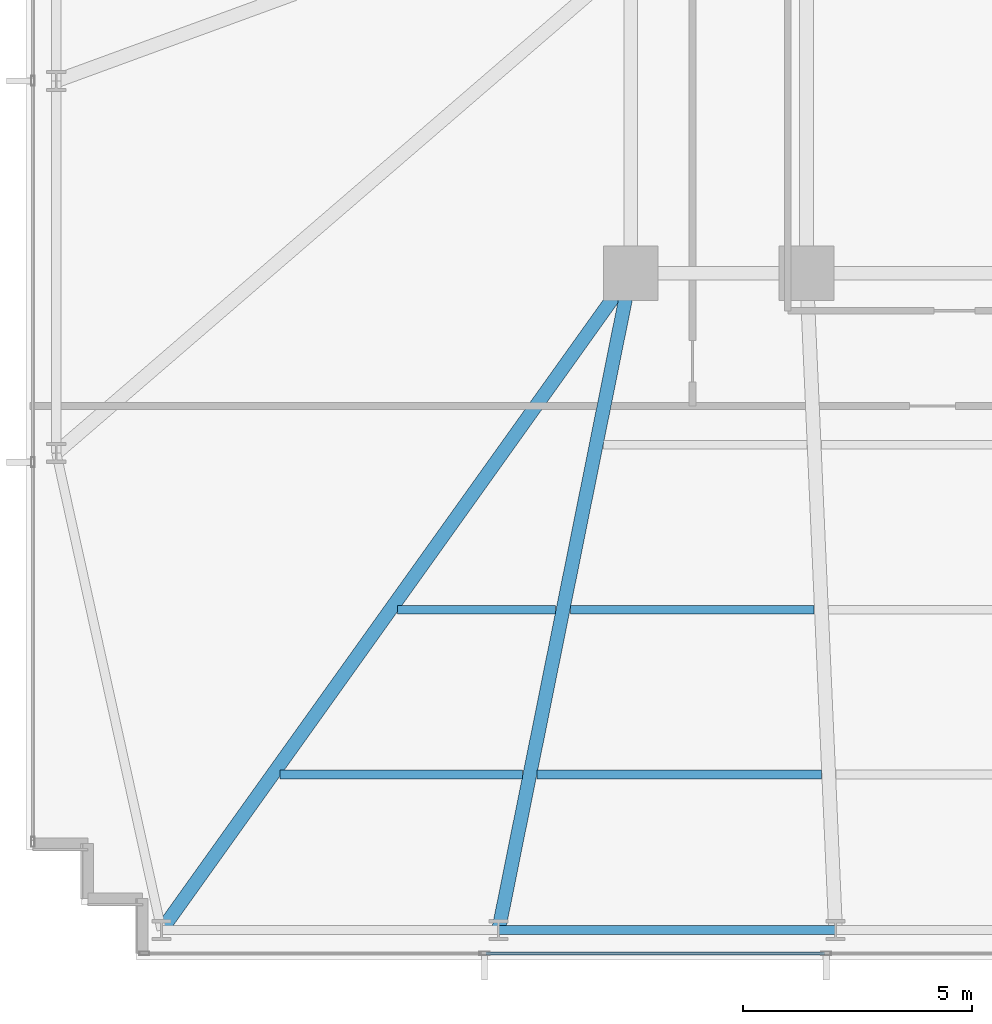
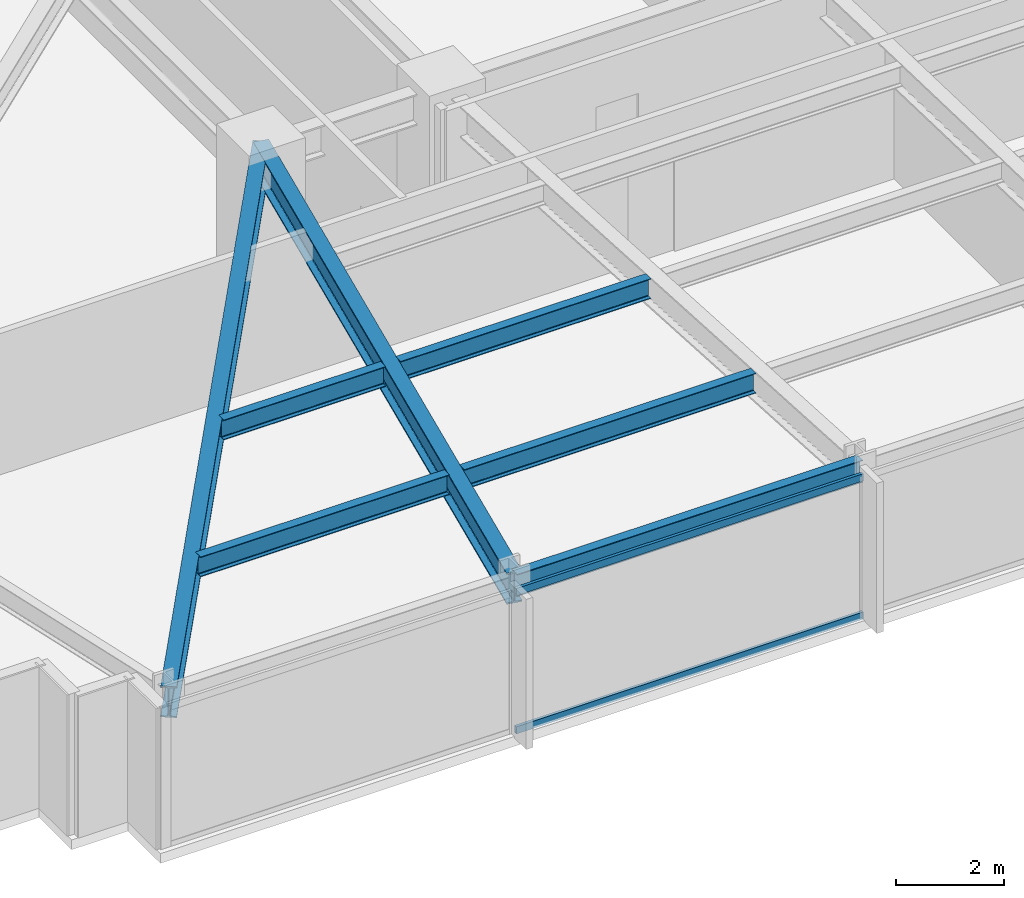
# One storey, part 3 of 33: 7 beams, 2 members, 1 element without a shape of its own.
"""IFC4 building model written with IfcOpenShell, lengths in metres."""

from ifc_helpers import new_model, si_unit, direction, frame, origin, origin_2d, place, context, subcontext, project, spatial, hollow_rectangle, i_section, extrude, material, material_profile, profile_set, type_object, element, aggregate, save


model = new_model("IFC4")

# Units and contexts
model_context = context("Model", 3, precision=1e-05, world=origin(), true_north=direction((0.0, 1.0)))
body_context = subcontext(model_context, "Body", "Model", "MODEL_VIEW")
ifc_project = project(units=[si_unit("LENGTHUNIT", "METRE"), si_unit("AREAUNIT", "SQUARE_METRE"), si_unit("VOLUMEUNIT", "CUBIC_METRE"), si_unit("PLANEANGLEUNIT", "RADIAN"), si_unit("MASSUNIT", "GRAM", prefix="KILO")], contexts=[model_context])

# Site, building, storey
site_placement = place(None, origin())
site = spatial("IfcSite", under=ifc_project, at=site_placement, CompositionType="ELEMENT")
building_placement = place(site_placement, origin())
building = spatial("IfcBuilding", under=site, at=building_placement, Name="Yelkora Congress Tower", CompositionType="ELEMENT")
storey_placement = place(building_placement, frame((0.0, 0.0, 47.39990234375)))
storey = spatial("IfcBuildingStorey", under=building, at=storey_placement, Name="L11", CompositionType="ELEMENT", Elevation=47.39990234375)

# Beams
ifc_material_1 = material(Name="Steel S355J2", Category="steel")
ifc_material_profile_1 = material_profile(ifc_material_1, i_section(OverallWidth=0.300048828125, OverallDepth=0.699951171875, WebThickness=0.01708984375, FlangeThickness=0.031982421875, FilletRadius=0.027099609375, at=origin_2d()), Name="HEB 700")
ifc_profile_set_1 = profile_set([ifc_material_profile_1], Name="Steel S355J2")
beam_type_1 = type_object("IfcBeamType", Name="BM-GIRD-HEB700", PredefinedType="BEAM", material=ifc_profile_set_1)
beam_1_placement = place(storey_placement, frame((8.949951171875, 10.85009765625, 2.830078125), z_axis=(0.581242122521, 0.813730664906, 0.0), x_axis=(-0.813730664906, 0.581242122521, 0.0)))
element("IfcBeam", 1, at=beam_1_placement, inside=storey, type_object=beam_type_1, Name="L11 Primary Frame Girder S01", PredefinedType="BEAM", context=body_context, shape_type="SweptSolid", body=[
    extrude(i_section(OverallWidth=0.300048828125, OverallDepth=0.699951171875, WebThickness=0.01708984375, FlangeThickness=0.031982421875, FilletRadius=0.027099609375, at=origin_2d()), origin(), (0.0, 0.0, 1.0), 17.634765625),
])
beam_2_placement = place(storey_placement, frame((16.3125, 10.85009765625, 2.830078125), z_axis=(0.197264295931, 0.980350344291, 0.0), x_axis=(-0.980350344291, 0.197264295931, 0.0)))
element("IfcBeam", 2, at=beam_2_placement, inside=storey, type_object=beam_type_1, Name="L11 Primary Frame Girder S02", PredefinedType="BEAM", context=body_context, shape_type="SweptSolid", body=[
    extrude(i_section(OverallWidth=0.300048828125, OverallDepth=0.699951171875, WebThickness=0.01708984375, FlangeThickness=0.031982421875, FilletRadius=0.027099609375, at=origin_2d()), origin(), (0.0, 0.0, 1.0), 14.637451171875),
])
ifc_material_profile_2 = material_profile(ifc_material_1, i_section(OverallWidth=0.18994140625, OverallDepth=0.449951171875, WebThickness=0.009521484375, FlangeThickness=0.0146484375, FilletRadius=0.02099609375, at=origin_2d()), Name="IPE 450")
ifc_profile_set_2 = profile_set([ifc_material_profile_2], Name="Steel S355J2")
beam_type_2 = type_object("IfcBeamType", Name="BM-JOIST-IPE450", PredefinedType="JOIST", material=ifc_profile_set_2)
beam_3_placement = place(storey_placement, frame((11.53857421875, 14.25, 2.955078125), z_axis=(1.0, 0.0, 0.0), x_axis=(0.0, 1.0, 0.0)))
element("IfcBeam", 3, at=beam_3_placement, inside=storey, type_object=beam_type_2, Name="L11 Composite Floor Joist 1", PredefinedType="JOIST", context=body_context, shape_type="SweptSolid", body=[
    extrude(i_section(OverallWidth=0.18994140625, OverallDepth=0.449951171875, WebThickness=0.009521484375, FlangeThickness=0.0146484375, FilletRadius=0.02099609375, at=origin_2d()), origin(), (0.0, 0.0, 1.0), 5.298095703125),
])
beam_4_placement = place(storey_placement, frame((17.156494140625, 14.25, 2.955078125), z_axis=(1.0, 0.0, 0.0), x_axis=(0.0, 1.0, 0.0)))
element("IfcBeam", 4, at=beam_4_placement, inside=storey, type_object=beam_type_2, Name="L11 Composite Floor Joist 2", PredefinedType="JOIST", context=body_context, shape_type="SweptSolid", body=[
    extrude(i_section(OverallWidth=0.18994140625, OverallDepth=0.449951171875, WebThickness=0.009521484375, FlangeThickness=0.0146484375, FilletRadius=0.02099609375, at=origin_2d()), origin(), (0.0, 0.0, 1.0), 6.2080078125),
])
beam_5_placement = place(storey_placement, frame((14.110107421875, 17.85009765625, 2.955078125), z_axis=(1.0, 0.0, 0.0), x_axis=(0.0, 1.0, 0.0)))
element("IfcBeam", 5, at=beam_5_placement, inside=storey, type_object=beam_type_2, Name="L11 Composite Floor Joist 9", PredefinedType="JOIST", context=body_context, shape_type="SweptSolid", body=[
    extrude(i_section(OverallWidth=0.18994140625, OverallDepth=0.449951171875, WebThickness=0.009521484375, FlangeThickness=0.0146484375, FilletRadius=0.02099609375, at=origin_2d()), origin(), (0.0, 0.0, 1.0), 3.450927734375),
])
beam_6_placement = place(storey_placement, frame((17.881103515625, 17.85009765625, 2.955078125), z_axis=(1.0, 0.0, 0.0), x_axis=(0.0, 1.0, 0.0)))
element("IfcBeam", 6, at=beam_6_placement, inside=storey, type_object=beam_type_2, Name="L11 Composite Floor Joist 10", PredefinedType="JOIST", context=body_context, shape_type="SweptSolid", body=[
    extrude(i_section(OverallWidth=0.18994140625, OverallDepth=0.449951171875, WebThickness=0.009521484375, FlangeThickness=0.0146484375, FilletRadius=0.02099609375, at=origin_2d()), origin(), (0.0, 0.0, 1.0), 5.323974609375),
])
ifc_material_profile_3 = material_profile(ifc_material_1, i_section(OverallWidth=0.199951171875, OverallDepth=0.5, WebThickness=0.01025390625, FlangeThickness=0.01611328125, FilletRadius=0.02099609375, at=origin_2d()), Name="IPE 500")
ifc_profile_set_3 = profile_set([ifc_material_profile_3], Name="Steel S355J2")
beam_type_3 = type_object("IfcBeamType", Name="BM-SPAN-IPE500", PredefinedType="SPANDREL", material=ifc_profile_set_3)
beam_7_placement = place(storey_placement, frame((16.3125, 10.85009765625, 2.93017578125), z_axis=(1.0, 0.0, 0.0), x_axis=(0.0, 1.0, 0.0)))
element("IfcBeam", 7, at=beam_7_placement, inside=storey, type_object=beam_type_3, Name="L11 Perimeter Beam 3", PredefinedType="SPANDREL", context=body_context, shape_type="SweptSolid", body=[
    extrude(i_section(OverallWidth=0.199951171875, OverallDepth=0.5, WebThickness=0.01025390625, FlangeThickness=0.01611328125, FilletRadius=0.02099609375, at=origin_2d()), origin(), (0.0, 0.0, 1.0), 7.362548828125),
])

# Curtain wall, members
ifc_material_2 = material(Name="Anodised aluminium and insulated glass", Category="aluminium")
curtain_wall_type = type_object("IfcCurtainWallType", Name="CW-SYS-B1", PredefinedType="NOTDEFINED", material=ifc_material_2)
curtain_wall_placement = place(storey_placement, origin())
curtain_wall = element("IfcCurtainWall", 8, at=curtain_wall_placement, inside=storey, type_object=curtain_wall_type, Name="L11 Unitised Curtain Wall 20", PredefinedType="NOTDEFINED")
ifc_material_3 = material(Name="Anodised aluminium 6063-T6", Category="aluminium")
ifc_material_profile_4 = material_profile(ifc_material_3, hollow_rectangle(XDim=0.06494140625, YDim=0.159912109375, WallThickness=0.00390625, at=origin_2d()), Name="ALU 65x160x4")
ifc_profile_set_4 = profile_set([ifc_material_profile_4], Name="Anodised aluminium 6063-T6")
member_type = type_object("IfcMemberType", Name="MEM-TR-B1", PredefinedType="USERDEFINED", material=ifc_profile_set_4)
member_1_placement = place(storey_placement, frame((23.4326171875, 10.340087890625, 0.03271484375), z_axis=(-1.0, 0.0, 0.0), x_axis=(0.0, -1.0, 0.0)))
member_1 = element("IfcMember", 9, at=member_1_placement, type_object=member_type, Name="CW-B1 transom 7.1", ObjectType="TRANSOM", PredefinedType="USERDEFINED", context=body_context, shape_type="SweptSolid", body=[
    extrude(hollow_rectangle(XDim=0.06494140625, YDim=0.159912109375, WallThickness=0.00390625, at=origin_2d()), origin(), (0.0, 0.0, 1.0), 7.39013671875),
])
member_2_placement = place(storey_placement, frame((23.4326171875, 10.340087890625, 3.147705078125), z_axis=(-1.0, 0.0, 0.0), x_axis=(0.0, -1.0, 0.0)))
member_2 = element("IfcMember", 10, at=member_2_placement, type_object=member_type, Name="CW-B1 transom 7.2", ObjectType="TRANSOM", PredefinedType="USERDEFINED", context=body_context, shape_type="SweptSolid", body=[
    extrude(hollow_rectangle(XDim=0.06494140625, YDim=0.159912109375, WallThickness=0.00390625, at=origin_2d()), origin(), (0.0, 0.0, 1.0), 7.39013671875),
])
aggregate(curtain_wall, [member_1, member_2])

save(model, "model.ifc")
